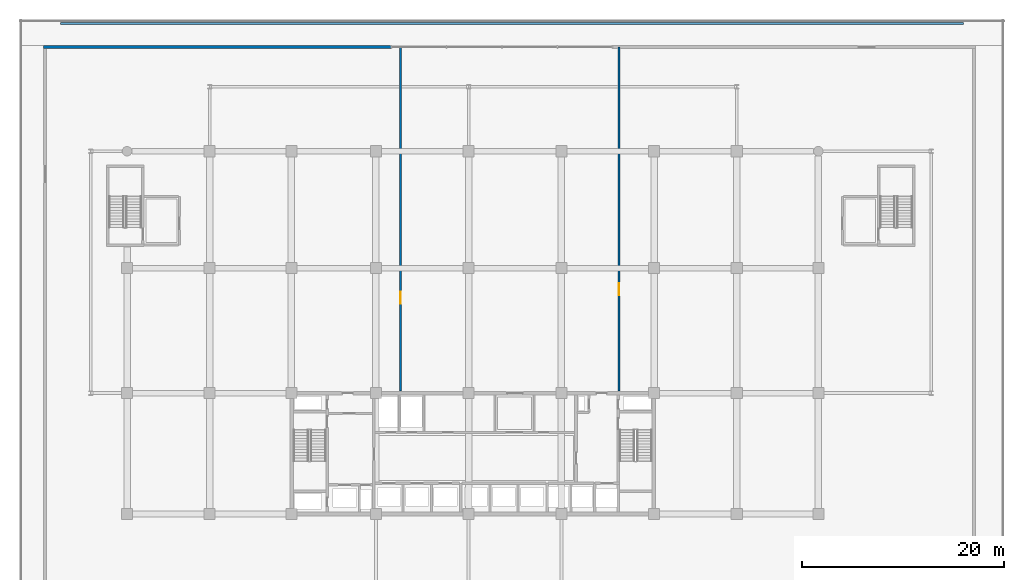
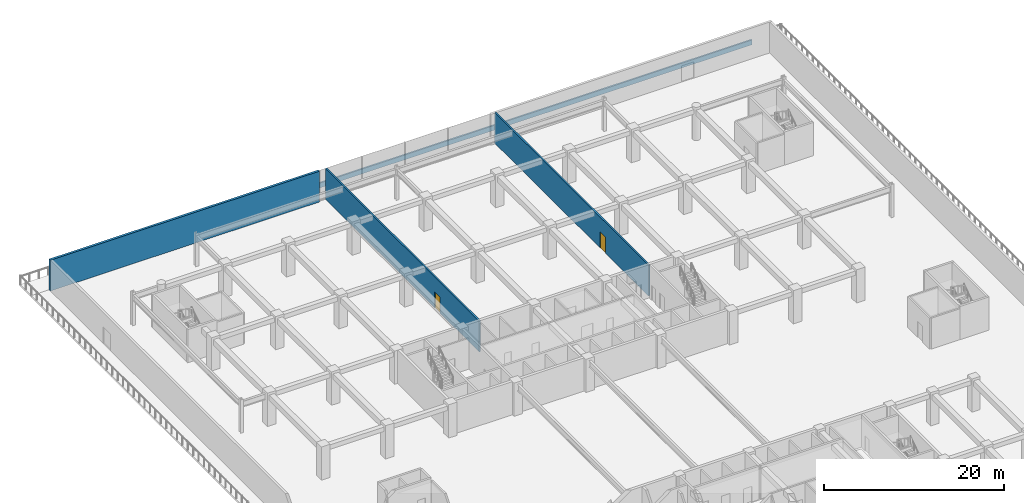
# One storey, part 27 of 40: 4 walls, 2 doors, 2 openings.
"""IFC4 building model written with IfcOpenShell, lengths in metres."""

from ifc_helpers import new_model, si_unit, direction, frame, frame_2d, origin, place, context, subcontext, project, spatial, rectangle, extrude, material, layer, layer_set, type_object, element, fill, save


model = new_model("IFC4")

# Units and contexts
model_context = context("Model", 3, precision=1e-05, world=origin(), true_north=direction((0.0, 1.0)))
body_context = subcontext(model_context, "Body", "Model", "MODEL_VIEW")
ifc_project = project(units=[si_unit("LENGTHUNIT", "METRE"), si_unit("AREAUNIT", "SQUARE_METRE"), si_unit("VOLUMEUNIT", "CUBIC_METRE"), si_unit("PLANEANGLEUNIT", "RADIAN"), si_unit("MASSUNIT", "GRAM", prefix="KILO")], contexts=[model_context])

# Site, building, storey
site_placement = place(None, origin())
site = spatial("IfcSite", under=ifc_project, at=site_placement, CompositionType="ELEMENT")
building_placement = place(site_placement, origin())
building = spatial("IfcBuilding", under=site, at=building_placement, Name="Korimba Cascade Residences", CompositionType="ELEMENT")
storey_placement = place(building_placement, frame((0.0, 0.0, 14.5)))
storey = spatial("IfcBuildingStorey", under=building, at=storey_placement, Name="L03", CompositionType="ELEMENT", Elevation=14.5)

# Walls
ifc_material_1 = material(Name="Precast concrete C40/50", Category="concrete")
ifc_layer_1 = layer(ifc_material_1, 0.199951171875)
ifc_layer_set_1 = layer_set([ifc_layer_1], Name="Precast concrete C40/50")
wall_type_1 = type_object("IfcWallType", Name="EW-PLANTER-200", PredefinedType="PARAPET", material=ifc_layer_set_1)
wall_1_placement = place(storey_placement, frame((142.800048828125, 103.85009765625, 0.0), z_axis=(0.0, 0.0, 1.0), x_axis=(-1.0, 0.0, 0.0)))
element("IfcWall", 1, at=wall_1_placement, inside=storey, type_object=wall_type_1, Name="L03 Cascading Terrace Stone PLANTER Box N", PredefinedType="PARAPET", context=body_context, shape_type="SweptSolid", body=[
    extrude(rectangle(XDim=89.60009765625, YDim=0.199951171875, at=frame_2d((44.800048828125, 0.0))), origin(), (0.0, 0.0, 1.0), 0.64990234375),
])
ifc_layer_2 = layer(ifc_material_1, 0.300048828125)
ifc_layer_set_2 = layer_set([ifc_layer_2], Name="Precast concrete C40/50")
wall_type_2 = type_object("IfcWallType", Name="EW-STONE-300", PredefinedType="STANDARD", material=ifc_layer_set_2)
wall_2_placement = place(storey_placement, frame((86.0, 101.550048828125, 0.0), z_axis=(0.0, 0.0, 1.0), x_axis=(-1.0, 0.0, 0.0)))
element("IfcWall", 2, at=wall_2_placement, inside=storey, type_object=wall_type_2, Name="L03 North-West Podium Wall", PredefinedType="STANDARD", context=body_context, shape_type="SweptSolid", body=[
    extrude(rectangle(XDim=34.5, YDim=0.300048828125, at=frame_2d((17.25, 0.0))), origin(), (0.0, 0.0, 1.0), 4.179931640625),
])

# Wall, opening, door
ifc_material_2 = material(Name="Concrete C40/50", Category="concrete")
ifc_layer_3 = layer(ifc_material_2, 0.199951171875)
ifc_layer_set_3 = layer_set([ifc_layer_3], Name="Concrete C40/50")
wall_type_3 = type_object("IfcWallType", Name="WAL-PART-200", PredefinedType="PARTITIONING", material=ifc_layer_set_3)
wall_3_placement = place(storey_placement, frame((86.919921875, 67.39990234375, 0.0), z_axis=(0.0, 0.0, 1.0), x_axis=(0.0, 1.0, 0.0)))
wall_3 = element("IfcWall", 3, at=wall_3_placement, inside=storey, type_object=wall_type_3, Name="L03 Partition Wall WAL-L03-NDIV1", PredefinedType="PARTITIONING", context=body_context, shape_type="SweptSolid", body=[
    extrude(rectangle(XDim=34.1201171875, YDim=0.199951171875, at=frame_2d((17.06005859375, 0.0))), origin(), (0.0, 0.0, 1.0), 4.179931640625),
])
opening_1_placement = place(wall_3_placement, frame((8.64990234375, 0.0, 0.0)))
opening_1 = element("IfcOpeningElement", 4, at=opening_1_placement, cuts=wall_3, Name="Opening D-AM1", PredefinedType="OPENING", context=body_context, shape_type="SweptSolid", body=[
    extrude(rectangle(XDim=1.219970703125, YDim=2.179931640625, at=frame_2d((0.60986328125, 1.08984375))), frame((0.0, 0.10986328125, 0.0), z_axis=(0.0, -1.0, 0.0), x_axis=(1.0, 0.0, 0.0)), (0.0, 0.0, 1.0), 0.219970703125),
])
ifc_material_3 = material(Name="Fire-Rated Glazed Timber Suite Door", Category="wood")
door_type = type_object("IfcDoorType", Name="DR-FD60-1200", OperationType="NOTDEFINED", PredefinedType="DOOR", material=ifc_material_3)
door_1_placement = place(opening_1_placement, origin())
door_1 = element("IfcDoor", 5, at=door_1_placement, inside=storey, type_object=door_type, Name="L03 North Podium Link Door 1", OperationType="SINGLE_SWING_LEFT", OverallHeight=2.179931640625, OverallWidth=1.219970703125, PredefinedType="DOOR", context=body_context, shape_type="SweptSolid", body=[
    extrude(rectangle(XDim=1.219970703125, YDim=2.179931640625, at=frame_2d((0.60986328125, 1.08984375))), frame((0.0, 0.02490234375, 0.0), z_axis=(0.0, -1.0, 0.0), x_axis=(1.0, 0.0, 0.0)), (0.0, 0.0, 1.0), 0.050048828125),
])
fill(opening_1, door_1)

wall_4_placement = place(storey_placement, frame((108.6201171875, 67.39990234375, 0.0), z_axis=(0.0, 0.0, 1.0), x_axis=(0.0, 1.0, 0.0)))
wall_4 = element("IfcWall", 6, at=wall_4_placement, inside=storey, type_object=wall_type_3, Name="L03 Partition Wall WAL-L03-NDIV2", PredefinedType="PARTITIONING", context=body_context, shape_type="SweptSolid", body=[
    extrude(rectangle(XDim=34.1201171875, YDim=0.199951171875, at=frame_2d((17.06005859375, 0.0))), origin(), (0.0, 0.0, 1.0), 4.179931640625),
])
opening_2_placement = place(wall_4_placement, frame((9.5, 0.0, 0.0)))
opening_2 = element("IfcOpeningElement", 7, at=opening_2_placement, cuts=wall_4, Name="Opening D-AM1", PredefinedType="OPENING", context=body_context, shape_type="SweptSolid", body=[
    extrude(rectangle(XDim=1.219970703125, YDim=2.179931640625, at=frame_2d((0.60986328125, 1.08984375))), frame((0.0, 0.10986328125, 0.0), z_axis=(0.0, -1.0, 0.0), x_axis=(1.0, 0.0, 0.0)), (0.0, 0.0, 1.0), 0.219970703125),
])
door_2_placement = place(opening_2_placement, origin())
door_2 = element("IfcDoor", 8, at=door_2_placement, inside=storey, type_object=door_type, Name="L03 North Podium Link Door 2", OperationType="SINGLE_SWING_RIGHT", OverallHeight=2.179931640625, OverallWidth=1.219970703125, PredefinedType="DOOR", context=body_context, shape_type="SweptSolid", body=[
    extrude(rectangle(XDim=1.219970703125, YDim=2.179931640625, at=frame_2d((0.60986328125, 1.08984375))), frame((0.0, 0.02490234375, 0.0), z_axis=(0.0, -1.0, 0.0), x_axis=(1.0, 0.0, 0.0)), (0.0, 0.0, 1.0), 0.050048828125),
])
fill(opening_2, door_2)

save(model, "model.ifc")
